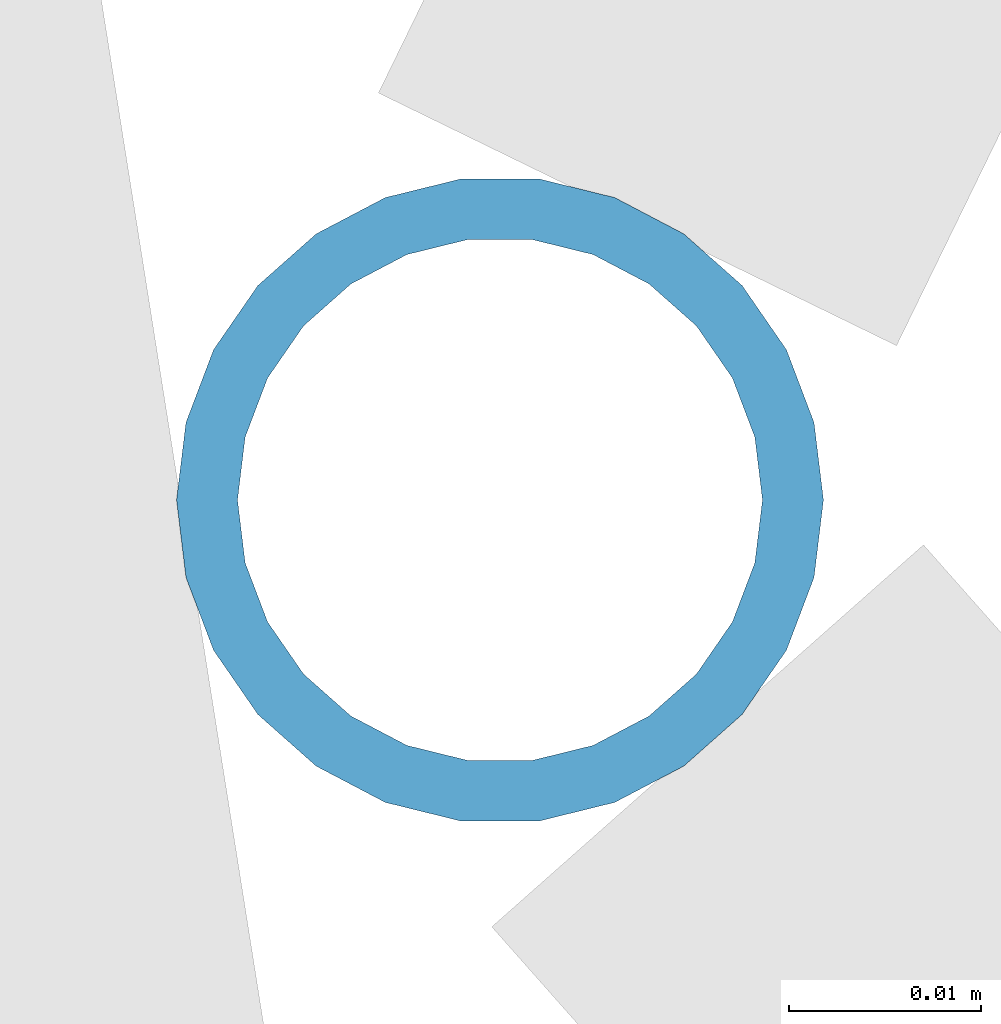
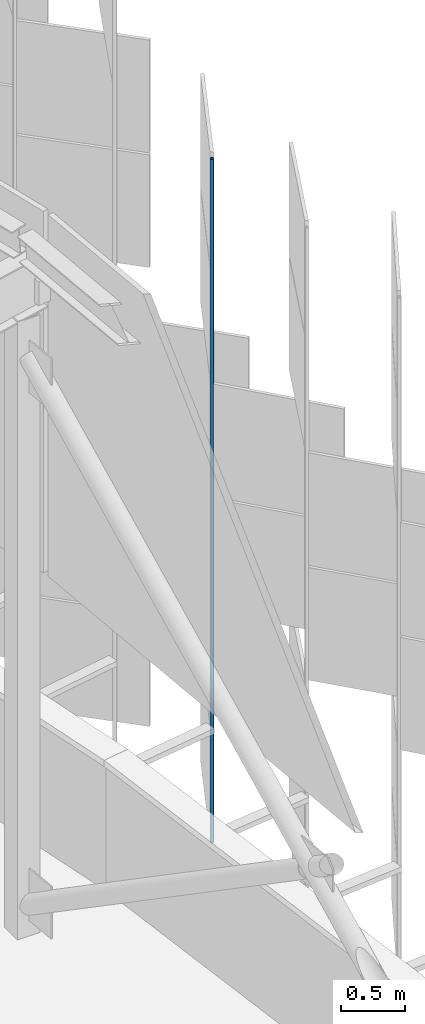
# One storey, part 293 of 483: 1 discrete accessory.
"""IFC4 building model written with IfcOpenShell, lengths in metres."""

from ifc_helpers import new_model, si_unit, direction, frame, origin, origin_2d, place, context, subcontext, project, spatial, hollow_circle, extrude, material, material_profile, profile_set, type_object, element, save


model = new_model("IFC4")

# Units and contexts
model_context = context("Model", 3, precision=1e-05, world=origin(), true_north=direction((0.0, 1.0)))
body_context = subcontext(model_context, "Body", "Model", "MODEL_VIEW")
ifc_project = project(units=[si_unit("LENGTHUNIT", "METRE"), si_unit("AREAUNIT", "SQUARE_METRE"), si_unit("VOLUMEUNIT", "CUBIC_METRE"), si_unit("PLANEANGLEUNIT", "RADIAN"), si_unit("MASSUNIT", "GRAM", prefix="KILO")], contexts=[model_context])

# Site, building, storey
site_placement = place(None, origin())
site = spatial("IfcSite", under=ifc_project, at=site_placement, CompositionType="ELEMENT")
building_placement = place(site_placement, origin())
building = spatial("IfcBuilding", under=site, at=building_placement, Name="Parallax Yard Mobility Hub", CompositionType="ELEMENT")
storey_placement = place(building_placement, frame((0.0, 0.0, 13.199951171875)))
storey = spatial("IfcBuildingStorey", under=building, at=storey_placement, Name="L04", CompositionType="ELEMENT", Elevation=13.199951171875)

# Discrete accessory
ifc_material = material(Name="Steel ASTM A500 Gr C, hot-dip galvanised", Category="steel")
ifc_material_profile = material_profile(ifc_material, hollow_circle(Radius=0.016845703125, WallThickness=0.003173828125, at=origin_2d()), Name="CHS 33.7x3.2")
ifc_profile_set = profile_set([ifc_material_profile], Name="Steel ASTM A500 Gr C, hot-dip galvanised")
discrete_accessory_type = type_object("IfcDiscreteAccessoryType", Name="Hinge post CHS 33.7x3.2", PredefinedType="BRACKET", material=ifc_profile_set)
discrete_accessory_placement = place(storey_placement, frame((225.162109375, 98.3408203125, 0.0), z_axis=(0.0, 0.0, 1.0), x_axis=(1.0, 0.0, 0.0)))
element("IfcDiscreteAccessory", 1, at=discrete_accessory_placement, inside=storey, type_object=discrete_accessory_type, Name="Hinge post bay 42.1 level L04", PredefinedType="BRACKET", context=body_context, shape_type="SweptSolid", body=[
    extrude(hollow_circle(Radius=0.016845703125, WallThickness=0.003173828125, at=origin_2d()), origin(), (0.0, 0.0, 1.0), 6.550048828125),
])

save(model, "model.ifc")
